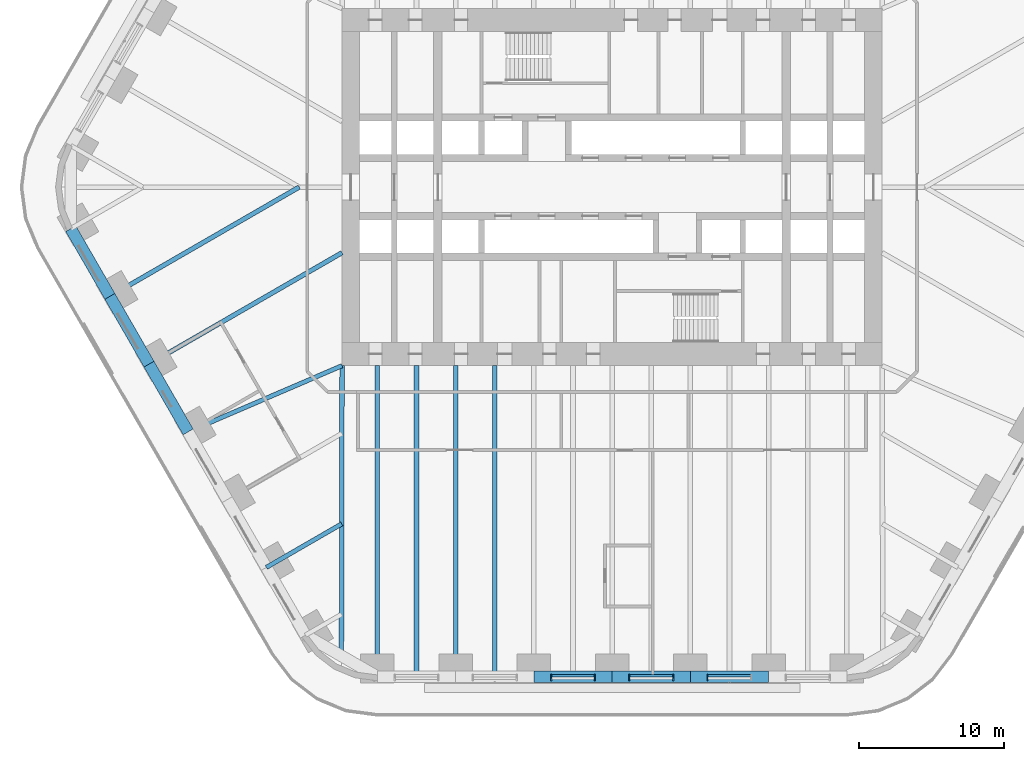
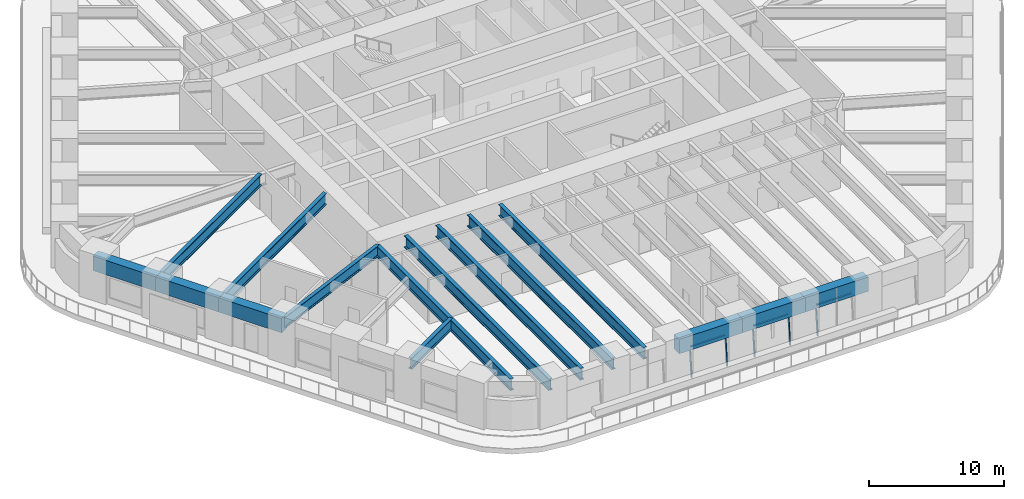
# One storey, part 3 of 23: 15 beams, 8 members, 3 elements without a shape of their own.
"""IFC4 building model written with IfcOpenShell, lengths in metres."""

from ifc_helpers import new_model, si_unit, direction, frame, origin, origin_2d, place, context, subcontext, project, spatial, rectangle, i_section, extrude, material, material_profile, profile_set, type_object, element, aggregate, save


model = new_model("IFC4")

# Units and contexts
model_context = context("Model", 3, precision=1e-05, world=origin(), true_north=direction((0.0, 1.0)))
body_context = subcontext(model_context, "Body", "Model", "MODEL_VIEW")
ifc_project = project(units=[si_unit("LENGTHUNIT", "METRE"), si_unit("AREAUNIT", "SQUARE_METRE"), si_unit("VOLUMEUNIT", "CUBIC_METRE"), si_unit("PLANEANGLEUNIT", "RADIAN"), si_unit("MASSUNIT", "GRAM", prefix="KILO")], contexts=[model_context])

# Site, building, storey
site_placement = place(None, origin())
site = spatial("IfcSite", under=ifc_project, at=site_placement, CompositionType="ELEMENT")
building_placement = place(site_placement, origin())
building = spatial("IfcBuilding", under=site, at=building_placement, Name="Tarfa Lantern Tower", CompositionType="ELEMENT")
storey_placement = place(building_placement, frame((0.0, 0.0, 36.10009765625)))
storey = spatial("IfcBuildingStorey", under=building, at=storey_placement, Name="L07", CompositionType="ELEMENT", Elevation=36.10009765625)

# Curtain wall, members
ifc_material_1 = material(Name="Aluminium framed curtain wall", Category="aluminium")
curtain_wall_type = type_object("IfcCurtainWallType", Name="CW1 CANTED GLAZING LOW ZONE 2700", PredefinedType="USERDEFINED", material=ifc_material_1)
curtain_wall_1_placement = place(storey_placement, origin())
curtain_wall_1 = element("IfcCurtainWall", 1, at=curtain_wall_1_placement, inside=storey, type_object=curtain_wall_type, Name="CW1 S L07", ObjectType="CURTAIN WALL", PredefinedType="USERDEFINED")
ifc_material_2 = material(Name="Aluminium mullion", Category="aluminium")
ifc_material_profile_1 = material_profile(ifc_material_2, rectangle(XDim=0.06494140625, YDim=0.199951171875, at=origin_2d()), Name="AL MULLION 65x200")
ifc_profile_set_1 = profile_set([ifc_material_profile_1], Name="Aluminium mullion")
member_type_1 = type_object("IfcMemberType", Name="CWM1 MULLION 65x200", PredefinedType="MULLION", material=ifc_profile_set_1)
member_1_placement = place(storey_placement, frame((-4.2060546875, -33.89990234375, 0.0), z_axis=(0.0, 0.092199863775, 0.995740520979), x_axis=(-1.0, 0.0, 0.0)))
member_1 = element("IfcMember", 2, at=member_1_placement, type_object=member_type_1, Name="CW1 mullion 1", PredefinedType="MULLION", context=body_context, shape_type="SweptSolid", body=[
    extrude(rectangle(XDim=0.06494140625, YDim=0.199951171875, at=origin_2d()), origin(), (0.0, 0.0, 1.0), 2.71142578125),
])
member_2_placement = place(storey_placement, frame((-1.1826171875, -33.89990234375, 0.0), z_axis=(0.0, 0.092199863775, 0.995740520979), x_axis=(-1.0, 0.0, 0.0)))
member_2 = element("IfcMember", 3, at=member_2_placement, type_object=member_type_1, Name="CW1 mullion 2", PredefinedType="MULLION", context=body_context, shape_type="SweptSolid", body=[
    extrude(rectangle(XDim=0.06494140625, YDim=0.199951171875, at=origin_2d()), origin(), (0.0, 0.0, 1.0), 2.71142578125),
])

curtain_wall_2_placement = place(storey_placement, origin())
curtain_wall_2 = element("IfcCurtainWall", 4, at=curtain_wall_2_placement, inside=storey, type_object=curtain_wall_type, Name="CW1 S L07", ObjectType="CURTAIN WALL", PredefinedType="USERDEFINED")
member_3_placement = place(storey_placement, frame((1.1826171875, -33.89990234375, 0.0), z_axis=(0.0, 0.092199863775, 0.995740520979), x_axis=(-1.0, 0.0, 0.0)))
member_3 = element("IfcMember", 5, at=member_3_placement, type_object=member_type_1, Name="CW1 mullion 1", PredefinedType="MULLION", context=body_context, shape_type="SweptSolid", body=[
    extrude(rectangle(XDim=0.06494140625, YDim=0.199951171875, at=origin_2d()), origin(), (0.0, 0.0, 1.0), 2.71142578125),
])
member_4_placement = place(storey_placement, frame((4.2060546875, -33.89990234375, 0.0), z_axis=(0.0, 0.092199863775, 0.995740520979), x_axis=(-1.0, 0.0, 0.0)))
member_4 = element("IfcMember", 6, at=member_4_placement, type_object=member_type_1, Name="CW1 mullion 2", PredefinedType="MULLION", context=body_context, shape_type="SweptSolid", body=[
    extrude(rectangle(XDim=0.06494140625, YDim=0.199951171875, at=origin_2d()), origin(), (0.0, 0.0, 1.0), 2.71142578125),
])

# Curtain wall, member
curtain_wall_3_placement = place(storey_placement, origin())
curtain_wall_3 = element("IfcCurtainWall", 7, at=curtain_wall_3_placement, inside=storey, type_object=curtain_wall_type, Name="CW1 S L07", ObjectType="CURTAIN WALL", PredefinedType="USERDEFINED")
member_5_placement = place(storey_placement, frame((6.571044921875, -33.89990234375, 0.0), z_axis=(0.0, 0.092199863775, 0.995740520979), x_axis=(-1.0, 0.0, 0.0)))
member_5 = element("IfcMember", 8, at=member_5_placement, type_object=member_type_1, Name="CW1 mullion 1", PredefinedType="MULLION", context=body_context, shape_type="SweptSolid", body=[
    extrude(rectangle(XDim=0.06494140625, YDim=0.199951171875, at=origin_2d()), origin(), (0.0, 0.0, 1.0), 2.71142578125),
])

# Member
ifc_material_3 = material(Name="Aluminium transom", Category="aluminium")
ifc_material_profile_2 = material_profile(ifc_material_3, rectangle(XDim=0.14990234375, YDim=0.06494140625, at=origin_2d()), Name="AL TRANSOM 150x65")
ifc_profile_set_2 = profile_set([ifc_material_profile_2], Name="Aluminium transom")
member_type_2 = type_object("IfcMemberType", Name="CWT1 TRANSOM 150x65", PredefinedType="USERDEFINED", material=ifc_profile_set_2)
member_6_placement = place(storey_placement, frame((-4.173583984375, -33.653076171875, 2.66748046875), z_axis=(1.0, 0.0, 0.0), x_axis=(0.0, 1.0, 0.0)))
member_6 = element("IfcMember", 9, at=member_6_placement, type_object=member_type_2, Name="CW1 transom 1.2", ObjectType="TRANSOM", PredefinedType="USERDEFINED", context=body_context, shape_type="SweptSolid", body=[
    extrude(rectangle(XDim=0.14990234375, YDim=0.06494140625, at=origin_2d()), origin(), (0.0, 0.0, 1.0), 2.95849609375),
])

aggregate(curtain_wall_1, [member_1, member_2, member_6])

member_7_placement = place(storey_placement, frame((1.215087890625, -33.653076171875, 2.66748046875), z_axis=(1.0, 0.0, 0.0), x_axis=(0.0, 1.0, 0.0)))
member_7 = element("IfcMember", 10, at=member_7_placement, type_object=member_type_2, Name="CW1 transom 1.2", ObjectType="TRANSOM", PredefinedType="USERDEFINED", context=body_context, shape_type="SweptSolid", body=[
    extrude(rectangle(XDim=0.14990234375, YDim=0.06494140625, at=origin_2d()), origin(), (0.0, 0.0, 1.0), 2.95849609375),
])

aggregate(curtain_wall_2, [member_3, member_4, member_7])

member_8_placement = place(storey_placement, frame((6.603515625, -33.653076171875, 2.66748046875), z_axis=(1.0, 0.0, 0.0), x_axis=(0.0, 1.0, 0.0)))
member_8 = element("IfcMember", 11, at=member_8_placement, type_object=member_type_2, Name="CW1 transom 1.2", ObjectType="TRANSOM", PredefinedType="USERDEFINED", context=body_context, shape_type="SweptSolid", body=[
    extrude(rectangle(XDim=0.14990234375, YDim=0.06494140625, at=origin_2d()), origin(), (0.0, 0.0, 1.0), 2.958740234375),
])

aggregate(curtain_wall_3, [member_5, member_8])

# Beams
ifc_material_4 = material(Name="Concrete C80/95", Category="concrete")
ifc_material_profile_3 = material_profile(ifc_material_4, rectangle(XDim=0.800048828125, YDim=1.300048828125, at=origin_2d()), Name="RC 800x1300")
ifc_profile_set_3 = profile_set([ifc_material_profile_3], Name="Concrete C80/95")
beam_type_1 = type_object("IfcBeamType", Name="EB1 RC 800x1300", PredefinedType="SPANDREL", material=ifc_profile_set_3)
beam_1_placement = place(storey_placement, frame((-37.285400390625, -2.860107421875, 3.349853515625), z_axis=(0.500017906299, -0.866015065331, 0.0), x_axis=(0.866015065331, 0.500017906299, 0.0)))
element("IfcBeam", 12, at=beam_1_placement, inside=storey, type_object=beam_type_1, Name="Edge beam SW0", PredefinedType="SPANDREL", context=body_context, shape_type="SweptSolid", body=[
    extrude(rectangle(XDim=0.800048828125, YDim=1.300048828125, at=origin_2d()), origin(), (0.0, 0.0, 1.0), 5.388427734375),
])
for number, where, z_axis, x_axis, name in (
    (13, (-34.591064453125, -7.526611328125, 3.349853515625), (0.499998287579, -0.866026392449, 0.0), (0.866026392449, 0.499998287579, 0.0), "Edge beam SW1"),
    (14, (-31.896728515625, -12.193359375, 3.349853515625), (0.499998287579, -0.866026392449, 0.0), (0.866026392449, 0.499998287579, 0.0), "Edge beam SW2"),
    (15, (-5.388671875, -33.719970703125, 3.349853515625), (1.0, 0.0, 0.0), (0.0, 1.0, 0.0), "Edge beam S2"),
    (16, (0.0, -33.719970703125, 3.349853515625), (1.0, 0.0, 0.0), (0.0, 1.0, 0.0), "Edge beam S3"),
):
    element("IfcBeam", number, at=place(storey_placement, frame(where, z_axis=z_axis, x_axis=x_axis)), inside=storey, type_object=beam_type_1, Name=name, PredefinedType="SPANDREL", context=body_context, shape_type="SweptSolid", body=[
        extrude(rectangle(XDim=0.800048828125, YDim=1.300048828125, at=origin_2d()), origin(), (0.0, 0.0, 1.0), 5.388671875),
    ])
beam_2_placement = place(storey_placement, frame((5.388671875, -33.719970703125, 3.349853515625), z_axis=(1.0, 0.0, 0.0), x_axis=(0.0, 1.0, 0.0)))
element("IfcBeam", 17, at=beam_2_placement, inside=storey, type_object=beam_type_1, Name="Edge beam S4", PredefinedType="SPANDREL", context=body_context, shape_type="SweptSolid", body=[
    extrude(rectangle(XDim=0.800048828125, YDim=1.300048828125, at=origin_2d()), origin(), (0.0, 0.0, 1.0), 5.388427734375),
])
ifc_material_5 = material(Name="Steel S460M", Category="steel")
ifc_material_profile_4 = material_profile(ifc_material_5, i_section(OverallWidth=0.302001953125, OverallDepth=1.008056640625, WebThickness=0.02099609375, FlangeThickness=0.0400390625, FilletRadius=0.030029296875, at=origin_2d()), Name="UB1016x305x349")
ifc_profile_set_4 = profile_set([ifc_material_profile_4], Name="Steel S460M")
beam_type_2 = type_object("IfcBeamType", Name="UB1016x305x349", PredefinedType="BEAM", material=ifc_profile_set_4)
beam_3_placement = place(storey_placement, frame((-29.202392578125, -16.860107421875, 3.495849609375), z_axis=(0.918635483867, 0.395106122175, 0.0), x_axis=(-0.395106122175, 0.918635483867, 0.0)))
element("IfcBeam", 18, at=beam_3_placement, inside=storey, type_object=beam_type_2, Name="Floor beam SW3", PredefinedType="BEAM", context=body_context, shape_type="SweptSolid", body=[
    extrude(i_section(OverallWidth=0.302001953125, OverallDepth=1.008056640625, WebThickness=0.02099609375, FlangeThickness=0.0400390625, FilletRadius=0.030029296875, at=origin_2d()), origin(), (0.0, 0.0, 1.0), 11.541259765625),
])
beam_4_placement = place(storey_placement, frame((-23.813720703125, -26.193359375, 3.495849609375), z_axis=(0.866015997389, 0.500016292001, 0.0), x_axis=(-0.500016292001, 0.866015997389, 0.0)))
element("IfcBeam", 19, at=beam_4_placement, inside=storey, type_object=beam_type_2, Name="Floor beam SW5", PredefinedType="BEAM", context=body_context, shape_type="SweptSolid", body=[
    extrude(i_section(OverallWidth=0.302001953125, OverallDepth=1.008056640625, WebThickness=0.02099609375, FlangeThickness=0.0400390625, FilletRadius=0.030029296875, at=origin_2d()), origin(), (0.0, 0.0, 1.0), 5.993408203125),
])
ifc_material_profile_5 = material_profile(ifc_material_5, i_section(OverallWidth=0.314208984375, OverallDepth=1.055908203125, WebThickness=0.035888671875, FlangeThickness=0.06396484375, FilletRadius=0.030029296875, at=origin_2d()), Name="UB1016x305x584")
ifc_profile_set_5 = profile_set([ifc_material_profile_5], Name="Steel S460M")
beam_type_3 = type_object("IfcBeamType", Name="UB1016x305x584", PredefinedType="BEAM", material=ifc_profile_set_5)
beam_5_placement = place(storey_placement, frame((-18.60009765625, -12.300048828125, 3.471923828125), z_axis=(-0.00212508222, -0.99999774201, 0.0), x_axis=(0.99999774201, -0.00212508222, 0.0)))
element("IfcBeam", 20, at=beam_5_placement, inside=storey, type_object=beam_type_3, Name="Hip girder SW", PredefinedType="BEAM", context=body_context, shape_type="SweptSolid", body=[
    extrude(i_section(OverallWidth=0.314208984375, OverallDepth=1.055908203125, WebThickness=0.035888671875, FlangeThickness=0.06396484375, FilletRadius=0.030029296875, at=origin_2d()), origin(), (0.0, 0.0, 1.0), 19.989990234375),
])
beam_6_placement = place(storey_placement, frame((-34.591064453125, -7.526611328125, 3.471923828125), z_axis=(0.86602785945, 0.499995746638, 0.0), x_axis=(-0.499995746638, 0.86602785945, 0.0)))
element("IfcBeam", 21, at=beam_6_placement, inside=storey, type_object=beam_type_3, Name="Floor beam SW1", PredefinedType="BEAM", context=body_context, shape_type="SweptSolid", body=[
    extrude(i_section(OverallWidth=0.314208984375, OverallDepth=1.055908203125, WebThickness=0.035888671875, FlangeThickness=0.06396484375, FilletRadius=0.030029296875, at=origin_2d()), origin(), (0.0, 0.0, 1.0), 15.053466796875),
])
beam_7_placement = place(storey_placement, frame((-31.896728515625, -12.193359375, 3.471923828125), z_axis=(0.866026971665, 0.499997284341, 0.0), x_axis=(-0.499997284341, 0.866026971665, 0.0)))
element("IfcBeam", 22, at=beam_7_placement, inside=storey, type_object=beam_type_3, Name="Floor beam SW2", PredefinedType="BEAM", context=body_context, shape_type="SweptSolid", body=[
    extrude(i_section(OverallWidth=0.314208984375, OverallDepth=1.055908203125, WebThickness=0.035888671875, FlangeThickness=0.06396484375, FilletRadius=0.030029296875, at=origin_2d()), origin(), (0.0, 0.0, 1.0), 15.353515625),
])
for number, where, z_axis, x_axis, name in (
    (23, (-16.165771484375, -33.719970703125, 3.471923828125), (0.0, 1.0, 0.0), (-1.0, 0.0, 0.0), "Floor beam S0"),
    (24, (-10.777099609375, -33.719970703125, 3.471923828125), (0.0, 1.0, 0.0), (-1.0, 0.0, 0.0), "Floor beam S1"),
    (25, (-13.471435546875, -33.719970703125, 3.471923828125), (0.0, 1.0, 0.0), (-1.0, 0.0, 0.0), "Floor beam S0M"),
    (26, (-8.0830078125, -33.719970703125, 3.471923828125), (0.0, 1.0, 0.0), (-1.0, 0.0, 0.0), "Floor beam S1M"),
):
    element("IfcBeam", number, at=place(storey_placement, frame(where, z_axis=z_axis, x_axis=x_axis)), inside=storey, type_object=beam_type_3, Name=name, PredefinedType="BEAM", context=body_context, shape_type="SweptSolid", body=[
        extrude(i_section(OverallWidth=0.314208984375, OverallDepth=1.055908203125, WebThickness=0.035888671875, FlangeThickness=0.06396484375, FilletRadius=0.030029296875, at=origin_2d()), origin(), (0.0, 0.0, 1.0), 21.419921875),
    ])

save(model, "model.ifc")
